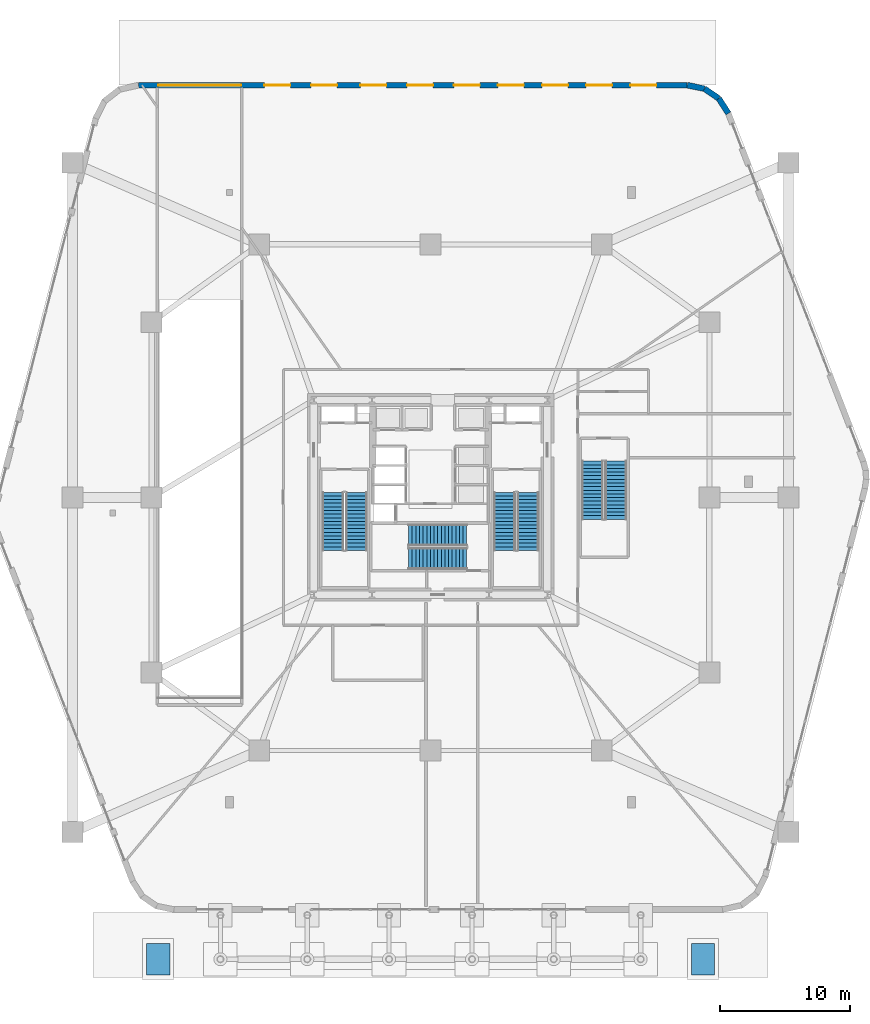
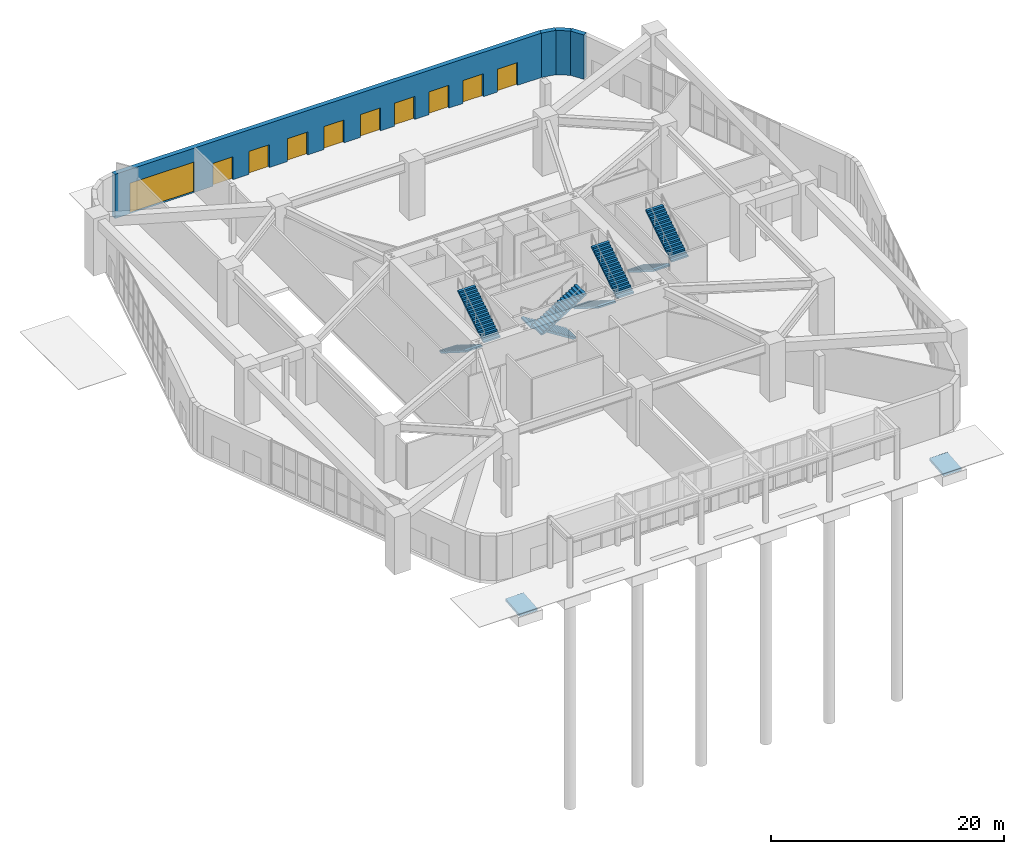
# One storey, part 27 of 35: 10 doors, 8 stair flights, 4 walls, 2 ramp flights, 10 openings, 6 elements without a shape of their own.
"""IFC4 building model written with IfcOpenShell, lengths in metres."""

from ifc_helpers import new_model, si_unit, direction, frame, frame_2d, origin, place, context, subcontext, project, spatial, polyline, rectangle, outline, extrude, material, layer, layer_set, type_object, element, fill, aggregate, save


model = new_model("IFC4")

# Units and contexts
model_context = context("Model", 3, precision=1e-05, world=origin(), true_north=direction((0.0, 1.0)))
body_context = subcontext(model_context, "Body", "Model", "MODEL_VIEW")
ifc_project = project(units=[si_unit("LENGTHUNIT", "METRE"), si_unit("AREAUNIT", "SQUARE_METRE"), si_unit("VOLUMEUNIT", "CUBIC_METRE"), si_unit("PLANEANGLEUNIT", "RADIAN"), si_unit("MASSUNIT", "GRAM", prefix="KILO")], contexts=[model_context])

# Site, building, storey
site_placement = place(None, origin())
site = spatial("IfcSite", under=ifc_project, at=site_placement, CompositionType="ELEMENT")
building_placement = place(site_placement, origin())
building = spatial("IfcBuilding", under=site, at=building_placement, Name="Kilnhurst Terrace Hotel", CompositionType="ELEMENT")
storey_placement = place(building_placement, origin())
storey = spatial("IfcBuildingStorey", under=building, at=storey_placement, Name="L00", CompositionType="ELEMENT", Elevation=0.0)

# Walls
ifc_material_1 = material(Name="Precast concrete C40/50", Category="concrete")
ifc_layer_1 = layer(ifc_material_1, 0.449951171875, Name="Precast concrete C40/50")
ifc_layer_set_1 = layer_set([ifc_layer_1], Name="Precast concrete C40/50")
wall_type = type_object("IfcWallType", Name="WL-BRK-450", PredefinedType="SOLIDWALL", material=ifc_layer_set_1)
wall_1_placement = place(storey_placement, frame((22.959716796875, 29.599609375, 0.0), z_axis=(0.0, 0.0, 1.0), x_axis=(-0.539770293074, 0.841812348873, 0.0)))
element("IfcWall", 1, at=wall_1_placement, inside=storey, type_object=wall_type, Name="L00 Rounded Corner Brick Wall C4.1", PredefinedType="SOLIDWALL", context=body_context, shape_type="SweptSolid", body=[
    extrude(rectangle(XDim=1.36279296875, YDim=0.449951171875, at=frame_2d((0.681396484375, 0.0))), origin(), (0.0, 0.0, 1.0), 4.64990234375),
])
wall_2_placement = place(storey_placement, frame((22.22412109375, 30.746826171875, 0.0), z_axis=(0.0, 0.0, 1.0), x_axis=(-0.825034601946, 0.565082211357, 0.0)))
element("IfcWall", 2, at=wall_2_placement, inside=storey, type_object=wall_type, Name="L00 Rounded Corner Brick Wall C4.2", PredefinedType="SOLIDWALL", context=body_context, shape_type="SweptSolid", body=[
    extrude(rectangle(XDim=1.340087890625, YDim=0.449951171875, at=frame_2d((0.669921875, 0.0))), origin(), (0.0, 0.0, 1.0), 4.64990234375),
])
wall_3_placement = place(storey_placement, frame((21.118408203125, 31.504150390625, 0.0), z_axis=(0.0, 0.0, 1.0), x_axis=(-0.980074574112, 0.198629879877, 0.0)))
element("IfcWall", 3, at=wall_3_placement, inside=storey, type_object=wall_type, Name="L00 Rounded Corner Brick Wall C4.3", PredefinedType="SOLIDWALL", context=body_context, shape_type="SweptSolid", body=[
    extrude(rectangle(XDim=1.363037109375, YDim=0.449951171875, at=frame_2d((0.681640625, 0.0))), origin(), (0.0, 0.0, 1.0), 4.64990234375),
])

# Wall, openings, doors
wall_4_placement = place(storey_placement, frame((19.782470703125, 31.77490234375, 0.0), z_axis=(0.0, 0.0, 1.0), x_axis=(-1.0, 0.0, 0.0)))
wall_4 = element("IfcWall", 4, at=wall_4_placement, inside=storey, type_object=wall_type, Name="L00 Exterior Brick Facade Wall F4", PredefinedType="SOLIDWALL", context=body_context, shape_type="SweptSolid", body=[
    extrude(rectangle(XDim=42.29541015625, YDim=0.449951171875, at=frame_2d((21.147705078125, 0.0))), origin(), (0.0, 0.0, 1.0), 4.64990234375),
])
opening_1_placement = place(wall_4_placement, frame((34.382080078125, 0.0, 0.0)))
opening_1 = element("IfcOpeningElement", 5, at=opening_1_placement, cuts=wall_4, Name="Opening VG-01", PredefinedType="OPENING", context=body_context, shape_type="SweptSolid", body=[
    extrude(rectangle(XDim=6.39990234375, YDim=3.199951171875, at=frame_2d((3.199951171875, 1.60009765625))), frame((0.0, 0.23486328125, 0.0), z_axis=(0.0, -1.0, 0.0), x_axis=(1.0, 0.0, 0.0)), (0.0, 0.0, 1.0), 0.469970703125),
])
opening_2_placement = place(wall_4_placement, frame((2.383056640625, 0.0, 0.0)))
opening_2 = element("IfcOpeningElement", 6, at=opening_2_placement, cuts=wall_4, Name="Opening ED-11", PredefinedType="OPENING", context=body_context, shape_type="SweptSolid", body=[
    extrude(rectangle(XDim=2.0, YDim=2.39990234375, at=frame_2d((1.0, 1.199951171875))), frame((0.0, 0.23486328125, 0.0), z_axis=(0.0, -1.0, 0.0), x_axis=(1.0, 0.0, 0.0)), (0.0, 0.0, 1.0), 0.469970703125),
])
opening_3_placement = place(wall_4_placement, frame((5.781982421875, 0.0, 0.0)))
opening_3 = element("IfcOpeningElement", 7, at=opening_3_placement, cuts=wall_4, Name="Opening ED-12", PredefinedType="OPENING", context=body_context, shape_type="SweptSolid", body=[
    extrude(rectangle(XDim=2.0, YDim=2.39990234375, at=frame_2d((1.0, 1.199951171875))), frame((0.0, 0.23486328125, 0.0), z_axis=(0.0, -1.0, 0.0), x_axis=(1.0, 0.0, 0.0)), (0.0, 0.0, 1.0), 0.469970703125),
])
opening_4_placement = place(wall_4_placement, frame((9.181884765625, 0.0, 0.0)))
opening_4 = element("IfcOpeningElement", 8, at=opening_4_placement, cuts=wall_4, Name="Opening ED-13", PredefinedType="OPENING", context=body_context, shape_type="SweptSolid", body=[
    extrude(rectangle(XDim=2.0, YDim=2.39990234375, at=frame_2d((1.0, 1.199951171875))), frame((0.0, 0.23486328125, 0.0), z_axis=(0.0, -1.0, 0.0), x_axis=(1.0, 0.0, 0.0)), (0.0, 0.0, 1.0), 0.469970703125),
])
opening_5_placement = place(wall_4_placement, frame((12.58203125, 0.0, 0.0)))
opening_5 = element("IfcOpeningElement", 9, at=opening_5_placement, cuts=wall_4, Name="Opening ED-14", PredefinedType="OPENING", context=body_context, shape_type="SweptSolid", body=[
    extrude(rectangle(XDim=2.0, YDim=2.39990234375, at=frame_2d((1.0, 1.199951171875))), frame((0.0, 0.23486328125, 0.0), z_axis=(0.0, -1.0, 0.0), x_axis=(1.0, 0.0, 0.0)), (0.0, 0.0, 1.0), 0.469970703125),
])
opening_6_placement = place(wall_4_placement, frame((15.98193359375, 0.0, 0.0)))
opening_6 = element("IfcOpeningElement", 10, at=opening_6_placement, cuts=wall_4, Name="Opening ED-15", PredefinedType="OPENING", context=body_context, shape_type="SweptSolid", body=[
    extrude(rectangle(XDim=2.0, YDim=2.39990234375, at=frame_2d((1.0, 1.199951171875))), frame((0.0, 0.23486328125, 0.0), z_axis=(0.0, -1.0, 0.0), x_axis=(1.0, 0.0, 0.0)), (0.0, 0.0, 1.0), 0.469970703125),
])
opening_7_placement = place(wall_4_placement, frame((19.58203125, 0.0, 0.0)))
opening_7 = element("IfcOpeningElement", 11, at=opening_7_placement, cuts=wall_4, Name="Opening ED-16", PredefinedType="OPENING", context=body_context, shape_type="SweptSolid", body=[
    extrude(rectangle(XDim=2.0, YDim=2.39990234375, at=frame_2d((1.0, 1.199951171875))), frame((0.0, 0.23486328125, 0.0), z_axis=(0.0, -1.0, 0.0), x_axis=(1.0, 0.0, 0.0)), (0.0, 0.0, 1.0), 0.469970703125),
])
opening_8_placement = place(wall_4_placement, frame((23.181884765625, 0.0, 0.0)))
opening_8 = element("IfcOpeningElement", 12, at=opening_8_placement, cuts=wall_4, Name="Opening ED-17", PredefinedType="OPENING", context=body_context, shape_type="SweptSolid", body=[
    extrude(rectangle(XDim=2.0, YDim=2.39990234375, at=frame_2d((1.0, 1.199951171875))), frame((0.0, 0.23486328125, 0.0), z_axis=(0.0, -1.0, 0.0), x_axis=(1.0, 0.0, 0.0)), (0.0, 0.0, 1.0), 0.469970703125),
])
opening_9_placement = place(wall_4_placement, frame((26.98193359375, 0.0, 0.0)))
opening_9 = element("IfcOpeningElement", 13, at=opening_9_placement, cuts=wall_4, Name="Opening ED-18", PredefinedType="OPENING", context=body_context, shape_type="SweptSolid", body=[
    extrude(rectangle(XDim=2.0, YDim=2.39990234375, at=frame_2d((1.0, 1.199951171875))), frame((0.0, 0.23486328125, 0.0), z_axis=(0.0, -1.0, 0.0), x_axis=(1.0, 0.0, 0.0)), (0.0, 0.0, 1.0), 0.469970703125),
])
opening_10_placement = place(wall_4_placement, frame((30.58203125, 0.0, 0.0)))
opening_10 = element("IfcOpeningElement", 14, at=opening_10_placement, cuts=wall_4, Name="Opening ED-19", PredefinedType="OPENING", context=body_context, shape_type="SweptSolid", body=[
    extrude(rectangle(XDim=2.0, YDim=2.39990234375, at=frame_2d((1.0, 1.199951171875))), frame((0.0, 0.23486328125, 0.0), z_axis=(0.0, -1.0, 0.0), x_axis=(1.0, 0.0, 0.0)), (0.0, 0.0, 1.0), 0.469970703125),
])
ifc_material_2 = material(Name="Thermally Broken Bronze Aluminium Alloy 6063-T6 and Laminated Glass", Category="aluminium")
door_type_1 = type_object("IfcDoorType", Name="DR-EXT-EXIT-2000", OperationType="NOTDEFINED", PredefinedType="DOOR", material=ifc_material_2)
door_1_placement = place(opening_2_placement, origin())
door_1 = element("IfcDoor", 15, at=door_1_placement, inside=storey, type_object=door_type_1, Name="L00 Street Exit Door ED-11", OperationType="DOUBLE_SWING_LEFT", OverallHeight=2.39990234375, OverallWidth=2.0, PredefinedType="DOOR", context=body_context, shape_type="SweptSolid", body=[
    extrude(rectangle(XDim=2.0, YDim=2.39990234375, at=frame_2d((1.0, 1.199951171875))), frame((0.0, 0.02490234375, 0.0), z_axis=(0.0, -1.0, 0.0), x_axis=(1.0, 0.0, 0.0)), (0.0, 0.0, 1.0), 0.050048828125),
])
fill(opening_2, door_1)
door_2_placement = place(opening_3_placement, origin())
door_2 = element("IfcDoor", 16, at=door_2_placement, inside=storey, type_object=door_type_1, Name="L00 Street Exit Door ED-12", OperationType="DOUBLE_SWING_LEFT", OverallHeight=2.39990234375, OverallWidth=2.0, PredefinedType="DOOR", context=body_context, shape_type="SweptSolid", body=[
    extrude(rectangle(XDim=2.0, YDim=2.39990234375, at=frame_2d((1.0, 1.199951171875))), frame((0.0, 0.02490234375, 0.0), z_axis=(0.0, -1.0, 0.0), x_axis=(1.0, 0.0, 0.0)), (0.0, 0.0, 1.0), 0.050048828125),
])
fill(opening_3, door_2)
door_3_placement = place(opening_4_placement, origin())
door_3 = element("IfcDoor", 17, at=door_3_placement, inside=storey, type_object=door_type_1, Name="L00 Street Exit Door ED-13", OperationType="DOUBLE_SWING_LEFT", OverallHeight=2.39990234375, OverallWidth=2.0, PredefinedType="DOOR", context=body_context, shape_type="SweptSolid", body=[
    extrude(rectangle(XDim=2.0, YDim=2.39990234375, at=frame_2d((1.0, 1.199951171875))), frame((0.0, 0.02490234375, 0.0), z_axis=(0.0, -1.0, 0.0), x_axis=(1.0, 0.0, 0.0)), (0.0, 0.0, 1.0), 0.050048828125),
])
fill(opening_4, door_3)
door_4_placement = place(opening_5_placement, origin())
door_4 = element("IfcDoor", 18, at=door_4_placement, inside=storey, type_object=door_type_1, Name="L00 Street Exit Door ED-14", OperationType="DOUBLE_SWING_LEFT", OverallHeight=2.39990234375, OverallWidth=2.0, PredefinedType="DOOR", context=body_context, shape_type="SweptSolid", body=[
    extrude(rectangle(XDim=2.0, YDim=2.39990234375, at=frame_2d((1.0, 1.199951171875))), frame((0.0, 0.02490234375, 0.0), z_axis=(0.0, -1.0, 0.0), x_axis=(1.0, 0.0, 0.0)), (0.0, 0.0, 1.0), 0.050048828125),
])
fill(opening_5, door_4)
door_5_placement = place(opening_6_placement, origin())
door_5 = element("IfcDoor", 19, at=door_5_placement, inside=storey, type_object=door_type_1, Name="L00 Street Exit Door ED-15", OperationType="DOUBLE_SWING_LEFT", OverallHeight=2.39990234375, OverallWidth=2.0, PredefinedType="DOOR", context=body_context, shape_type="SweptSolid", body=[
    extrude(rectangle(XDim=2.0, YDim=2.39990234375, at=frame_2d((1.0, 1.199951171875))), frame((0.0, 0.02490234375, 0.0), z_axis=(0.0, -1.0, 0.0), x_axis=(1.0, 0.0, 0.0)), (0.0, 0.0, 1.0), 0.050048828125),
])
fill(opening_6, door_5)
door_6_placement = place(opening_7_placement, origin())
door_6 = element("IfcDoor", 20, at=door_6_placement, inside=storey, type_object=door_type_1, Name="L00 Street Exit Door ED-16", OperationType="DOUBLE_SWING_LEFT", OverallHeight=2.39990234375, OverallWidth=2.0, PredefinedType="DOOR", context=body_context, shape_type="SweptSolid", body=[
    extrude(rectangle(XDim=2.0, YDim=2.39990234375, at=frame_2d((1.0, 1.199951171875))), frame((0.0, 0.02490234375, 0.0), z_axis=(0.0, -1.0, 0.0), x_axis=(1.0, 0.0, 0.0)), (0.0, 0.0, 1.0), 0.050048828125),
])
fill(opening_7, door_6)
door_7_placement = place(opening_8_placement, origin())
door_7 = element("IfcDoor", 21, at=door_7_placement, inside=storey, type_object=door_type_1, Name="L00 Street Exit Door ED-17", OperationType="DOUBLE_SWING_LEFT", OverallHeight=2.39990234375, OverallWidth=2.0, PredefinedType="DOOR", context=body_context, shape_type="SweptSolid", body=[
    extrude(rectangle(XDim=2.0, YDim=2.39990234375, at=frame_2d((1.0, 1.199951171875))), frame((0.0, 0.02490234375, 0.0), z_axis=(0.0, -1.0, 0.0), x_axis=(1.0, 0.0, 0.0)), (0.0, 0.0, 1.0), 0.050048828125),
])
fill(opening_8, door_7)
door_8_placement = place(opening_9_placement, origin())
door_8 = element("IfcDoor", 22, at=door_8_placement, inside=storey, type_object=door_type_1, Name="L00 Street Exit Door ED-18", OperationType="DOUBLE_SWING_LEFT", OverallHeight=2.39990234375, OverallWidth=2.0, PredefinedType="DOOR", context=body_context, shape_type="SweptSolid", body=[
    extrude(rectangle(XDim=2.0, YDim=2.39990234375, at=frame_2d((1.0, 1.199951171875))), frame((0.0, 0.02490234375, 0.0), z_axis=(0.0, -1.0, 0.0), x_axis=(1.0, 0.0, 0.0)), (0.0, 0.0, 1.0), 0.050048828125),
])
fill(opening_9, door_8)
door_9_placement = place(opening_10_placement, origin())
door_9 = element("IfcDoor", 23, at=door_9_placement, inside=storey, type_object=door_type_1, Name="L00 Street Exit Door ED-19", OperationType="DOUBLE_SWING_LEFT", OverallHeight=2.39990234375, OverallWidth=2.0, PredefinedType="DOOR", context=body_context, shape_type="SweptSolid", body=[
    extrude(rectangle(XDim=2.0, YDim=2.39990234375, at=frame_2d((1.0, 1.199951171875))), frame((0.0, 0.02490234375, 0.0), z_axis=(0.0, -1.0, 0.0), x_axis=(1.0, 0.0, 0.0)), (0.0, 0.0, 1.0), 0.050048828125),
])
fill(opening_10, door_9)
door_type_2 = type_object("IfcDoorType", Name="DR-EXT-VEH-6400", OperationType="NOTDEFINED", PredefinedType="GATE", material=ifc_material_2)
door_10_placement = place(opening_1_placement, origin())
door_10 = element("IfcDoor", 24, at=door_10_placement, inside=storey, type_object=door_type_2, Name="L00 Car Park Street Vehicle Roller Shutter Gate VG-01", OperationType="ROLLINGUP", OverallHeight=3.199951171875, OverallWidth=6.39990234375, PredefinedType="GATE", context=body_context, shape_type="SweptSolid", body=[
    extrude(rectangle(XDim=6.39990234375, YDim=3.199951171875, at=frame_2d((3.199951171875, 1.60009765625))), frame((0.0, 0.02490234375, 0.0), z_axis=(0.0, -1.0, 0.0), x_axis=(1.0, 0.0, 0.0)), (0.0, 0.0, 1.0), 0.050048828125),
])
fill(opening_1, door_10)

# Stair, stair flights
ifc_material_3 = material(Name="Concrete C50/60", Category="concrete")
stair_type_1 = type_object("IfcStairType", Name="STR-CORE-1660", PredefinedType="HALF_TURN_STAIR", material=ifc_material_3)
stair_1_placement = place(storey_placement, origin())
stair_1 = element("IfcStair", 25, at=stair_1_placement, inside=storey, type_object=stair_type_1, Name="L00 ST-1", PredefinedType="HALF_TURN_STAIR")
stair_flight_type = type_object("IfcStairFlightType", Name="FLT-RC-1660", PredefinedType="STRAIGHT", material=ifc_material_3)
stair_flight_1_placement = place(storey_placement, frame((-7.52001953125, 0.389892578125, 0.0), z_axis=(0.0, 0.0, 1.0), x_axis=(0.0, -1.0, 0.0)))
stair_flight_1 = element("IfcStairFlight", 26, at=stair_flight_1_placement, type_object=stair_flight_type, Name="ST-1 flight 1", NumberOfRisers=17, NumberOfTreads=16, PredefinedType="STRAIGHT", RiserHeight=0.176470588, TreadLength=0.28, context=body_context, shape_type="SweptSolid", body=[
    extrude(outline(polyline([(0.0, 0.0), (0.0, 0.176513671875), (0.280029296875, 0.176513671875), (0.280029296875, 0.35302734375), (0.56005859375, 0.35302734375), (0.56005859375, 0.529296875), (0.840087890625, 0.529296875), (0.840087890625, 0.705810546875), (1.1201171875, 0.705810546875), (1.1201171875, 0.88232421875), (1.39990234375, 0.88232421875), (1.39990234375, 1.058837890625), (1.679931640625, 1.058837890625), (1.679931640625, 1.2353515625), (1.9599609375, 1.2353515625), (1.9599609375, 1.411865234375), (2.239990234375, 1.411865234375), (2.239990234375, 1.588134765625), (2.52001953125, 1.588134765625), (2.52001953125, 1.7646484375), (2.800048828125, 1.7646484375), (2.800048828125, 1.941162109375), (3.080078125, 1.941162109375), (3.080078125, 2.11767578125), (3.360107421875, 2.11767578125), (3.360107421875, 2.294189453125), (3.639892578125, 2.294189453125), (3.639892578125, 2.470703125), (3.919921875, 2.470703125), (3.919921875, 2.64697265625), (4.199951171875, 2.64697265625), (4.199951171875, 2.823486328125), (4.47998046875, 2.823486328125), (4.47998046875, 3.0), (4.47998046875, 2.646240234375), (0.28125, 0.0), (0.0, 0.0)])), frame((0.0, 0.830078125, 0.0), z_axis=(0.0, -1.0, 0.0), x_axis=(1.0, 0.0, 0.0)), (0.0, 0.0, 1.0), 1.659912109375),
])
stair_flight_2_placement = place(storey_placement, frame((-5.7099609375, -4.090087890625, 3.0), z_axis=(0.0, 0.0, 1.0), x_axis=(0.0, 1.0, 0.0)))
stair_flight_2 = element("IfcStairFlight", 27, at=stair_flight_2_placement, type_object=stair_flight_type, Name="ST-1 flight 2", NumberOfRisers=17, NumberOfTreads=16, PredefinedType="STRAIGHT", RiserHeight=0.176470588, TreadLength=0.28, context=body_context, shape_type="SweptSolid", body=[
    extrude(outline(polyline([(0.0, 0.0), (0.0, 0.176513671875), (0.280029296875, 0.176513671875), (0.280029296875, 0.35302734375), (0.56005859375, 0.35302734375), (0.56005859375, 0.529296875), (0.840087890625, 0.529296875), (0.840087890625, 0.705810546875), (1.1201171875, 0.705810546875), (1.1201171875, 0.88232421875), (1.39990234375, 0.88232421875), (1.39990234375, 1.058837890625), (1.679931640625, 1.058837890625), (1.679931640625, 1.2353515625), (1.9599609375, 1.2353515625), (1.9599609375, 1.411865234375), (2.239990234375, 1.411865234375), (2.239990234375, 1.588134765625), (2.52001953125, 1.588134765625), (2.52001953125, 1.7646484375), (2.800048828125, 1.7646484375), (2.800048828125, 1.941162109375), (3.080078125, 1.941162109375), (3.080078125, 2.11767578125), (3.360107421875, 2.11767578125), (3.360107421875, 2.294189453125), (3.639892578125, 2.294189453125), (3.639892578125, 2.470703125), (3.919921875, 2.470703125), (3.919921875, 2.64697265625), (4.199951171875, 2.64697265625), (4.199951171875, 2.823486328125), (4.47998046875, 2.823486328125), (4.47998046875, 3.0), (4.47998046875, 2.646240234375), (0.28125, 0.0), (0.0, 0.0)])), frame((0.0, 0.830078125, 0.0), z_axis=(0.0, -1.0, 0.0), x_axis=(1.0, 0.0, 0.0)), (0.0, 0.0, 1.0), 1.659912109375),
])
aggregate(stair_1, [stair_flight_1, stair_flight_2])

stair_2_placement = place(storey_placement, origin())
stair_2 = element("IfcStair", 28, at=stair_2_placement, inside=storey, type_object=stair_type_1, Name="L00 ST-2", PredefinedType="HALF_TURN_STAIR")
stair_flight_3_placement = place(storey_placement, frame((5.7099609375, 0.389892578125, 0.0), z_axis=(0.0, 0.0, 1.0), x_axis=(0.0, -1.0, 0.0)))
stair_flight_3 = element("IfcStairFlight", 29, at=stair_flight_3_placement, type_object=stair_flight_type, Name="ST-2 flight 1", NumberOfRisers=17, NumberOfTreads=16, PredefinedType="STRAIGHT", RiserHeight=0.176470588, TreadLength=0.28, context=body_context, shape_type="SweptSolid", body=[
    extrude(outline(polyline([(0.0, 0.0), (0.0, 0.176513671875), (0.280029296875, 0.176513671875), (0.280029296875, 0.35302734375), (0.56005859375, 0.35302734375), (0.56005859375, 0.529296875), (0.840087890625, 0.529296875), (0.840087890625, 0.705810546875), (1.1201171875, 0.705810546875), (1.1201171875, 0.88232421875), (1.39990234375, 0.88232421875), (1.39990234375, 1.058837890625), (1.679931640625, 1.058837890625), (1.679931640625, 1.2353515625), (1.9599609375, 1.2353515625), (1.9599609375, 1.411865234375), (2.239990234375, 1.411865234375), (2.239990234375, 1.588134765625), (2.52001953125, 1.588134765625), (2.52001953125, 1.7646484375), (2.800048828125, 1.7646484375), (2.800048828125, 1.941162109375), (3.080078125, 1.941162109375), (3.080078125, 2.11767578125), (3.360107421875, 2.11767578125), (3.360107421875, 2.294189453125), (3.639892578125, 2.294189453125), (3.639892578125, 2.470703125), (3.919921875, 2.470703125), (3.919921875, 2.64697265625), (4.199951171875, 2.64697265625), (4.199951171875, 2.823486328125), (4.47998046875, 2.823486328125), (4.47998046875, 3.0), (4.47998046875, 2.646240234375), (0.28125, 0.0), (0.0, 0.0)])), frame((0.0, 0.830078125, 0.0), z_axis=(0.0, -1.0, 0.0), x_axis=(1.0, 0.0, 0.0)), (0.0, 0.0, 1.0), 1.659912109375),
])
stair_flight_4_placement = place(storey_placement, frame((7.52001953125, -4.090087890625, 3.0), z_axis=(0.0, 0.0, 1.0), x_axis=(0.0, 1.0, 0.0)))
stair_flight_4 = element("IfcStairFlight", 30, at=stair_flight_4_placement, type_object=stair_flight_type, Name="ST-2 flight 2", NumberOfRisers=17, NumberOfTreads=16, PredefinedType="STRAIGHT", RiserHeight=0.176470588, TreadLength=0.28, context=body_context, shape_type="SweptSolid", body=[
    extrude(outline(polyline([(0.0, 0.0), (0.0, 0.176513671875), (0.280029296875, 0.176513671875), (0.280029296875, 0.35302734375), (0.56005859375, 0.35302734375), (0.56005859375, 0.529296875), (0.840087890625, 0.529296875), (0.840087890625, 0.705810546875), (1.1201171875, 0.705810546875), (1.1201171875, 0.88232421875), (1.39990234375, 0.88232421875), (1.39990234375, 1.058837890625), (1.679931640625, 1.058837890625), (1.679931640625, 1.2353515625), (1.9599609375, 1.2353515625), (1.9599609375, 1.411865234375), (2.239990234375, 1.411865234375), (2.239990234375, 1.588134765625), (2.52001953125, 1.588134765625), (2.52001953125, 1.7646484375), (2.800048828125, 1.7646484375), (2.800048828125, 1.941162109375), (3.080078125, 1.941162109375), (3.080078125, 2.11767578125), (3.360107421875, 2.11767578125), (3.360107421875, 2.294189453125), (3.639892578125, 2.294189453125), (3.639892578125, 2.470703125), (3.919921875, 2.470703125), (3.919921875, 2.64697265625), (4.199951171875, 2.64697265625), (4.199951171875, 2.823486328125), (4.47998046875, 2.823486328125), (4.47998046875, 3.0), (4.47998046875, 2.646240234375), (0.28125, 0.0), (0.0, 0.0)])), frame((0.0, 0.830078125, 0.0), z_axis=(0.0, -1.0, 0.0), x_axis=(1.0, 0.0, 0.0)), (0.0, 0.0, 1.0), 1.659912109375),
])
aggregate(stair_2, [stair_flight_3, stair_flight_4])

stair_3_placement = place(storey_placement, origin())
stair_3 = element("IfcStair", 31, at=stair_3_placement, inside=storey, type_object=stair_type_1, Name="L00 ST-3", PredefinedType="HALF_TURN_STAIR")
stair_flight_5_placement = place(storey_placement, frame((2.7900390625, -2.909912109375, 0.0), z_axis=(0.0, 0.0, 1.0), x_axis=(-1.0, 0.0, 0.0)))
stair_flight_5 = element("IfcStairFlight", 32, at=stair_flight_5_placement, type_object=stair_flight_type, Name="ST-3 flight 1", NumberOfRisers=17, NumberOfTreads=16, PredefinedType="STRAIGHT", RiserHeight=0.176470588, TreadLength=0.28, context=body_context, shape_type="SweptSolid", body=[
    extrude(outline(polyline([(0.0, 0.0), (0.0, 0.176513671875), (0.280029296875, 0.176513671875), (0.280029296875, 0.35302734375), (0.56005859375, 0.35302734375), (0.56005859375, 0.529296875), (0.840087890625, 0.529296875), (0.840087890625, 0.705810546875), (1.1201171875, 0.705810546875), (1.1201171875, 0.88232421875), (1.39990234375, 0.88232421875), (1.39990234375, 1.058837890625), (1.679931640625, 1.058837890625), (1.679931640625, 1.2353515625), (1.9599609375, 1.2353515625), (1.9599609375, 1.411865234375), (2.239990234375, 1.411865234375), (2.239990234375, 1.588134765625), (2.52001953125, 1.588134765625), (2.52001953125, 1.7646484375), (2.800048828125, 1.7646484375), (2.800048828125, 1.941162109375), (3.080078125, 1.941162109375), (3.080078125, 2.11767578125), (3.360107421875, 2.11767578125), (3.360107421875, 2.294189453125), (3.639892578125, 2.294189453125), (3.639892578125, 2.470703125), (3.919921875, 2.470703125), (3.919921875, 2.64697265625), (4.199951171875, 2.64697265625), (4.199951171875, 2.823486328125), (4.47998046875, 2.823486328125), (4.47998046875, 3.0), (4.47998046875, 2.646240234375), (0.28125, 0.0), (0.0, 0.0)])), frame((0.0, 0.830078125, 0.0), z_axis=(0.0, -1.0, 0.0), x_axis=(1.0, 0.0, 0.0)), (0.0, 0.0, 1.0), 1.659912109375),
])
stair_flight_6_placement = place(storey_placement, frame((-1.68994140625, -4.719970703125, 3.0), z_axis=(0.0, 0.0, 1.0), x_axis=(1.0, 0.0, 0.0)))
stair_flight_6 = element("IfcStairFlight", 33, at=stair_flight_6_placement, type_object=stair_flight_type, Name="ST-3 flight 2", NumberOfRisers=17, NumberOfTreads=16, PredefinedType="STRAIGHT", RiserHeight=0.176470588, TreadLength=0.28, context=body_context, shape_type="SweptSolid", body=[
    extrude(outline(polyline([(0.0, 0.0), (0.0, 0.176513671875), (0.280029296875, 0.176513671875), (0.280029296875, 0.35302734375), (0.56005859375, 0.35302734375), (0.56005859375, 0.529296875), (0.840087890625, 0.529296875), (0.840087890625, 0.705810546875), (1.1201171875, 0.705810546875), (1.1201171875, 0.88232421875), (1.39990234375, 0.88232421875), (1.39990234375, 1.058837890625), (1.679931640625, 1.058837890625), (1.679931640625, 1.2353515625), (1.9599609375, 1.2353515625), (1.9599609375, 1.411865234375), (2.239990234375, 1.411865234375), (2.239990234375, 1.588134765625), (2.52001953125, 1.588134765625), (2.52001953125, 1.7646484375), (2.800048828125, 1.7646484375), (2.800048828125, 1.941162109375), (3.080078125, 1.941162109375), (3.080078125, 2.11767578125), (3.360107421875, 2.11767578125), (3.360107421875, 2.294189453125), (3.639892578125, 2.294189453125), (3.639892578125, 2.470703125), (3.919921875, 2.470703125), (3.919921875, 2.64697265625), (4.199951171875, 2.64697265625), (4.199951171875, 2.823486328125), (4.47998046875, 2.823486328125), (4.47998046875, 3.0), (4.47998046875, 2.646240234375), (0.28125, 0.0), (0.0, 0.0)])), frame((0.0, 0.830078125, 0.0), z_axis=(0.0, -1.0, 0.0), x_axis=(1.0, 0.0, 0.0)), (0.0, 0.0, 1.0), 1.659912109375),
])
aggregate(stair_3, [stair_flight_5, stair_flight_6])

ifc_material_4 = material(Name="Concrete C40/50", Category="concrete")
stair_type_2 = type_object("IfcStairType", Name="STR-POD-1660", PredefinedType="HALF_TURN_STAIR", material=ifc_material_4)
stair_4_placement = place(storey_placement, origin())
stair_4 = element("IfcStair", 34, at=stair_4_placement, inside=storey, type_object=stair_type_2, Name="L00 ST-4", PredefinedType="HALF_TURN_STAIR")
stair_flight_7_placement = place(storey_placement, frame((12.47998046875, 2.7900390625, 0.0), z_axis=(0.0, 0.0, 1.0), x_axis=(0.0, -1.0, 0.0)))
stair_flight_7 = element("IfcStairFlight", 35, at=stair_flight_7_placement, type_object=stair_flight_type, Name="ST-4 flight 1", NumberOfRisers=17, NumberOfTreads=16, PredefinedType="STRAIGHT", RiserHeight=0.176470588, TreadLength=0.28, context=body_context, shape_type="SweptSolid", body=[
    extrude(outline(polyline([(0.0, 0.0), (0.0, 0.176513671875), (0.280029296875, 0.176513671875), (0.280029296875, 0.35302734375), (0.56005859375, 0.35302734375), (0.56005859375, 0.529296875), (0.840087890625, 0.529296875), (0.840087890625, 0.705810546875), (1.1201171875, 0.705810546875), (1.1201171875, 0.88232421875), (1.39990234375, 0.88232421875), (1.39990234375, 1.058837890625), (1.679931640625, 1.058837890625), (1.679931640625, 1.2353515625), (1.9599609375, 1.2353515625), (1.9599609375, 1.411865234375), (2.239990234375, 1.411865234375), (2.239990234375, 1.588134765625), (2.52001953125, 1.588134765625), (2.52001953125, 1.7646484375), (2.800048828125, 1.7646484375), (2.800048828125, 1.941162109375), (3.080078125, 1.941162109375), (3.080078125, 2.11767578125), (3.360107421875, 2.11767578125), (3.360107421875, 2.294189453125), (3.639892578125, 2.294189453125), (3.639892578125, 2.470703125), (3.919921875, 2.470703125), (3.919921875, 2.64697265625), (4.199951171875, 2.64697265625), (4.199951171875, 2.823486328125), (4.47998046875, 2.823486328125), (4.47998046875, 3.0), (4.47998046875, 2.646240234375), (0.28125, 0.0), (0.0, 0.0)])), frame((0.0, 0.830078125, 0.0), z_axis=(0.0, -1.0, 0.0), x_axis=(1.0, 0.0, 0.0)), (0.0, 0.0, 1.0), 1.659912109375),
])
stair_flight_8_placement = place(storey_placement, frame((14.2900390625, -1.68994140625, 3.0), z_axis=(0.0, 0.0, 1.0), x_axis=(0.0, 1.0, 0.0)))
stair_flight_8 = element("IfcStairFlight", 36, at=stair_flight_8_placement, type_object=stair_flight_type, Name="ST-4 flight 2", NumberOfRisers=17, NumberOfTreads=16, PredefinedType="STRAIGHT", RiserHeight=0.176470588, TreadLength=0.28, context=body_context, shape_type="SweptSolid", body=[
    extrude(outline(polyline([(0.0, 0.0), (0.0, 0.176513671875), (0.280029296875, 0.176513671875), (0.280029296875, 0.35302734375), (0.56005859375, 0.35302734375), (0.56005859375, 0.529296875), (0.840087890625, 0.529296875), (0.840087890625, 0.705810546875), (1.1201171875, 0.705810546875), (1.1201171875, 0.88232421875), (1.39990234375, 0.88232421875), (1.39990234375, 1.058837890625), (1.679931640625, 1.058837890625), (1.679931640625, 1.2353515625), (1.9599609375, 1.2353515625), (1.9599609375, 1.411865234375), (2.239990234375, 1.411865234375), (2.239990234375, 1.588134765625), (2.52001953125, 1.588134765625), (2.52001953125, 1.7646484375), (2.800048828125, 1.7646484375), (2.800048828125, 1.941162109375), (3.080078125, 1.941162109375), (3.080078125, 2.11767578125), (3.360107421875, 2.11767578125), (3.360107421875, 2.294189453125), (3.639892578125, 2.294189453125), (3.639892578125, 2.470703125), (3.919921875, 2.470703125), (3.919921875, 2.64697265625), (4.199951171875, 2.64697265625), (4.199951171875, 2.823486328125), (4.47998046875, 2.823486328125), (4.47998046875, 3.0), (4.47998046875, 2.646240234375), (0.28125, 0.0), (0.0, 0.0)])), frame((0.0, 0.830078125, 0.0), z_axis=(0.0, -1.0, 0.0), x_axis=(1.0, 0.0, 0.0)), (0.0, 0.0, 1.0), 1.659912109375),
])
aggregate(stair_4, [stair_flight_7, stair_flight_8])

# Ramp, ramp flight
ramp_type = type_object("IfcRampType", Name="RMP-PED-1800", PredefinedType="STRAIGHT_RUN_RAMP", material=ifc_material_4)
ramp_1_placement = place(storey_placement, origin())
ramp_1 = element("IfcRamp", 37, at=ramp_1_placement, inside=storey, type_object=ramp_type, Name="Accessible entrance ramp P1", PredefinedType="STRAIGHT_RUN_RAMP")
ifc_layer_2 = layer(ifc_material_4, 0.25, Name="Concrete C40/50")
ifc_layer_set_2 = layer_set([ifc_layer_2], Name="Concrete C40/50")
ramp_flight_type = type_object("IfcRampFlightType", Name="RMP-PED-FLT-1800", PredefinedType="STRAIGHT", material=ifc_layer_set_2)
ramp_flight_1_placement = place(storey_placement, frame((-21.0, -36.800048828125, -0.199951171875), z_axis=(0.0, 0.0, 1.0), x_axis=(0.0, 1.0, 0.0)))
ramp_flight_1 = element("IfcRampFlight", 38, at=ramp_flight_1_placement, type_object=ramp_flight_type, Name="Accessible entrance ramp P1 flight", PredefinedType="STRAIGHT", context=body_context, shape_type="SweptSolid", body=[
    extrude(outline(polyline([(0.0, 0.0), (2.39990234375, 0.199951171875), (2.39990234375, -0.050048828125), (0.0, -0.25), (0.0, 0.0)])), frame((0.0, 0.89990234375, 0.0), z_axis=(0.0, -1.0, 0.0), x_axis=(1.0, 0.0, 0.0)), (0.0, 0.0, 1.0), 1.800048828125),
])
aggregate(ramp_1, [ramp_flight_1])

ramp_2_placement = place(storey_placement, origin())
ramp_2 = element("IfcRamp", 39, at=ramp_2_placement, inside=storey, type_object=ramp_type, Name="Accessible entrance ramp P2", PredefinedType="STRAIGHT_RUN_RAMP")
ramp_flight_2_placement = place(storey_placement, frame((21.0, -36.800048828125, -0.199951171875), z_axis=(0.0, 0.0, 1.0), x_axis=(0.0, 1.0, 0.0)))
ramp_flight_2 = element("IfcRampFlight", 40, at=ramp_flight_2_placement, type_object=ramp_flight_type, Name="Accessible entrance ramp P2 flight", PredefinedType="STRAIGHT", context=body_context, shape_type="SweptSolid", body=[
    extrude(outline(polyline([(0.0, 0.0), (2.39990234375, 0.199951171875), (2.39990234375, -0.050048828125), (0.0, -0.25), (0.0, 0.0)])), frame((0.0, 0.89990234375, 0.0), z_axis=(0.0, -1.0, 0.0), x_axis=(1.0, 0.0, 0.0)), (0.0, 0.0, 1.0), 1.800048828125),
])
aggregate(ramp_2, [ramp_flight_2])

save(model, "model.ifc")
